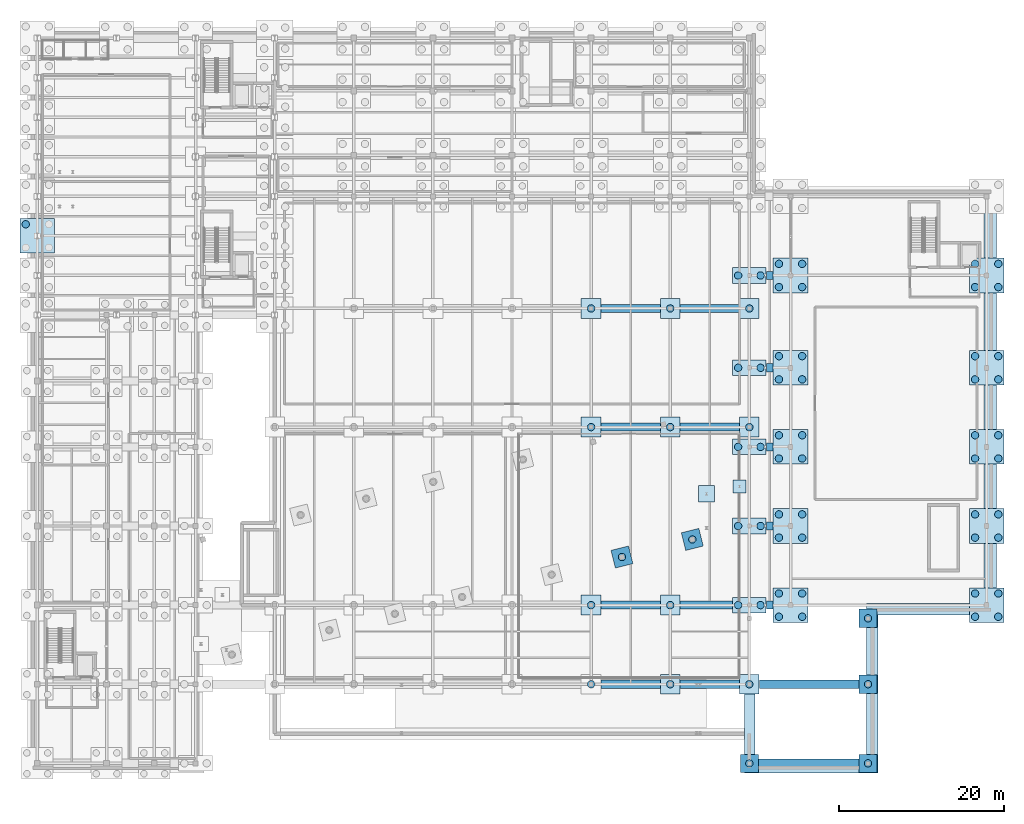
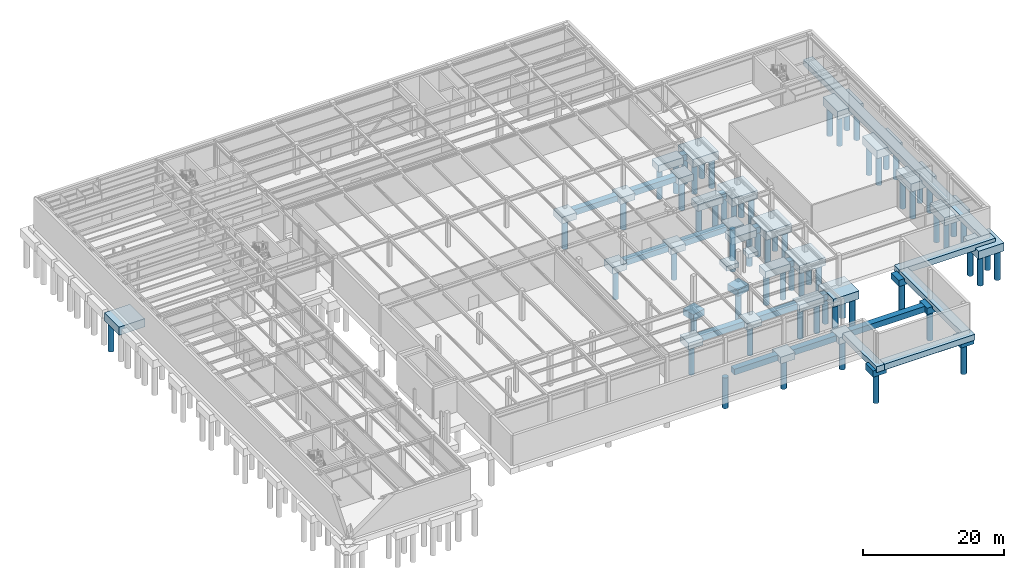
# One storey, part 3 of 33: 68 piles, 54 footings.
"""IFC4 building model written with IfcOpenShell, lengths in metres."""

from ifc_helpers import new_model, si_unit, direction, frame, origin, origin_2d, place, context, subcontext, project, spatial, polyline, rectangle, circle, outline, extrude, material, material_profile, profile_set, type_object, element, save


model = new_model("IFC4")

# Units and contexts
model_context = context("Model", 3, precision=1e-05, world=origin(), true_north=direction((0.0, 1.0)))
body_context = subcontext(model_context, "Body", "Model", "MODEL_VIEW")
ifc_project = project(units=[si_unit("LENGTHUNIT", "METRE"), si_unit("AREAUNIT", "SQUARE_METRE"), si_unit("VOLUMEUNIT", "CUBIC_METRE"), si_unit("PLANEANGLEUNIT", "RADIAN"), si_unit("MASSUNIT", "GRAM", prefix="KILO")], contexts=[model_context])

# Site, building, storey
site_placement = place(None, origin())
site = spatial("IfcSite", under=ifc_project, at=site_placement, CompositionType="ELEMENT")
building_placement = place(site_placement, origin())
building = spatial("IfcBuilding", under=site, at=building_placement, Name="Nordkorset Police Headquarters", CompositionType="ELEMENT")
storey_placement = place(building_placement, frame((0.0, 0.0, -9.800048828125)))
storey = spatial("IfcBuildingStorey", under=building, at=storey_placement, Name="B02", CompositionType="ELEMENT", Elevation=-9.800048828125)

# Piles
ifc_material_1 = material(Name="Concrete C45/55", Category="concrete")
ifc_material_profile = material_profile(ifc_material_1, circle(Radius=0.449951171875, at=origin_2d()), Name="PILE D900")
ifc_profile_set = profile_set([ifc_material_profile], Name="Concrete C45/55")
pile_type = type_object("IfcPileType", Name="Bored_PILE_D900", PredefinedType="BORED", material=ifc_profile_set)
pile_placement = place(storey_placement, frame((-1.409912109375, 94.2099609375, -1.89990234375), z_axis=(0.0, 0.0, -1.0), x_axis=(1.0, 0.0, 0.0)))
element("IfcPile", 1, at=pile_placement, inside=storey, type_object=pile_type, Name="Rock-Socketed Bored Pile V1_W_2-3", PredefinedType="BORED", context=body_context, shape_type="SweptSolid", body=[
    extrude(circle(Radius=0.449951171875, at=origin_2d()), origin(), (0.0, 0.0, 1.0), 5.10009765625),
])
for number, where, z_axis, x_axis, name in (
    (2, (85.0400390625, 48.0, -1.699951171875), (0.0, 0.0, -1.0), (1.0, 0.0, 0.0), "Rock-Socketed Bored Pile V5_X0_0-1"),
    (3, (87.760009765625, 48.0, -1.699951171875), (0.0, 0.0, -1.0), (1.0, 0.0, 0.0), "Rock-Socketed Bored Pile V5_X0_0-2"),
):
    element("IfcPile", number, at=place(storey_placement, frame(where, z_axis=z_axis, x_axis=x_axis)), inside=storey, type_object=pile_type, Name=name, PredefinedType="BORED", context=body_context, shape_type="SweptSolid", body=[
        extrude(circle(Radius=0.449951171875, at=origin_2d()), origin(), (0.0, 0.0, 1.0), 5.300048828125),
    ])
for number, where, z_axis, x_axis, name in (
    (4, (89.989990234375, 46.590087890625, -1.89990234375), (0.0, 0.0, -1.0), (1.0, 0.0, 0.0), "Rock-Socketed Bored Pile V5_X1_0-1"),
    (5, (92.81005859375, 46.590087890625, -1.89990234375), (0.0, 0.0, -1.0), (1.0, 0.0, 0.0), "Rock-Socketed Bored Pile V5_X1_0-2"),
    (6, (89.989990234375, 49.409912109375, -1.89990234375), (0.0, 0.0, -1.0), (1.0, 0.0, 0.0), "Rock-Socketed Bored Pile V5_X1_0-3"),
    (7, (92.81005859375, 49.409912109375, -1.89990234375), (0.0, 0.0, -1.0), (1.0, 0.0, 0.0), "Rock-Socketed Bored Pile V5_X1_0-4"),
    (8, (113.7900390625, 46.590087890625, -1.89990234375), (0.0, 0.0, -1.0), (1.0, 0.0, 0.0), "Rock-Socketed Bored Pile V5_X2_0-1"),
    (9, (116.610107421875, 46.590087890625, -1.89990234375), (0.0, 0.0, -1.0), (1.0, 0.0, 0.0), "Rock-Socketed Bored Pile V5_X2_0-2"),
    (10, (113.7900390625, 49.409912109375, -1.89990234375), (0.0, 0.0, -1.0), (1.0, 0.0, 0.0), "Rock-Socketed Bored Pile V5_X2_0-3"),
    (11, (116.610107421875, 49.409912109375, -1.89990234375), (0.0, 0.0, -1.0), (1.0, 0.0, 0.0), "Rock-Socketed Bored Pile V5_X2_0-4"),
):
    element("IfcPile", number, at=place(storey_placement, frame(where, z_axis=z_axis, x_axis=x_axis)), inside=storey, type_object=pile_type, Name=name, PredefinedType="BORED", context=body_context, shape_type="SweptSolid", body=[
        extrude(circle(Radius=0.449951171875, at=origin_2d()), origin(), (0.0, 0.0, 1.0), 5.10009765625),
    ])
for number, where, z_axis, x_axis, name in (
    (12, (85.0400390625, 57.60009765625, -1.699951171875), (0.0, 0.0, -1.0), (1.0, 0.0, 0.0), "Rock-Socketed Bored Pile V5_X0_1-1"),
    (13, (87.760009765625, 57.60009765625, -1.699951171875), (0.0, 0.0, -1.0), (1.0, 0.0, 0.0), "Rock-Socketed Bored Pile V5_X0_1-2"),
):
    element("IfcPile", number, at=place(storey_placement, frame(where, z_axis=z_axis, x_axis=x_axis)), inside=storey, type_object=pile_type, Name=name, PredefinedType="BORED", context=body_context, shape_type="SweptSolid", body=[
        extrude(circle(Radius=0.449951171875, at=origin_2d()), origin(), (0.0, 0.0, 1.0), 5.300048828125),
    ])
for number, where, z_axis, x_axis, name in (
    (14, (89.989990234375, 56.18994140625, -1.89990234375), (0.0, 0.0, -1.0), (1.0, 0.0, 0.0), "Rock-Socketed Bored Pile V5_X1_1-1"),
    (15, (92.81005859375, 56.18994140625, -1.89990234375), (0.0, 0.0, -1.0), (1.0, 0.0, 0.0), "Rock-Socketed Bored Pile V5_X1_1-2"),
    (16, (89.989990234375, 59.010009765625, -1.89990234375), (0.0, 0.0, -1.0), (1.0, 0.0, 0.0), "Rock-Socketed Bored Pile V5_X1_1-3"),
    (17, (92.81005859375, 59.010009765625, -1.89990234375), (0.0, 0.0, -1.0), (1.0, 0.0, 0.0), "Rock-Socketed Bored Pile V5_X1_1-4"),
    (18, (113.7900390625, 56.18994140625, -1.89990234375), (0.0, 0.0, -1.0), (1.0, 0.0, 0.0), "Rock-Socketed Bored Pile V5_X2_1-1"),
    (19, (116.610107421875, 56.18994140625, -1.89990234375), (0.0, 0.0, -1.0), (1.0, 0.0, 0.0), "Rock-Socketed Bored Pile V5_X2_1-2"),
    (20, (113.7900390625, 59.010009765625, -1.89990234375), (0.0, 0.0, -1.0), (1.0, 0.0, 0.0), "Rock-Socketed Bored Pile V5_X2_1-3"),
    (21, (116.610107421875, 59.010009765625, -1.89990234375), (0.0, 0.0, -1.0), (1.0, 0.0, 0.0), "Rock-Socketed Bored Pile V5_X2_1-4"),
):
    element("IfcPile", number, at=place(storey_placement, frame(where, z_axis=z_axis, x_axis=x_axis)), inside=storey, type_object=pile_type, Name=name, PredefinedType="BORED", context=body_context, shape_type="SweptSolid", body=[
        extrude(circle(Radius=0.449951171875, at=origin_2d()), origin(), (0.0, 0.0, 1.0), 5.10009765625),
    ])
for number, where, z_axis, x_axis, name in (
    (22, (85.0400390625, 67.199951171875, -1.699951171875), (0.0, 0.0, -1.0), (1.0, 0.0, 0.0), "Rock-Socketed Bored Pile V5_X0_2-1"),
    (23, (87.760009765625, 67.199951171875, -1.699951171875), (0.0, 0.0, -1.0), (1.0, 0.0, 0.0), "Rock-Socketed Bored Pile V5_X0_2-2"),
):
    element("IfcPile", number, at=place(storey_placement, frame(where, z_axis=z_axis, x_axis=x_axis)), inside=storey, type_object=pile_type, Name=name, PredefinedType="BORED", context=body_context, shape_type="SweptSolid", body=[
        extrude(circle(Radius=0.449951171875, at=origin_2d()), origin(), (0.0, 0.0, 1.0), 5.300048828125),
    ])
for number, where, z_axis, x_axis, name in (
    (24, (89.989990234375, 65.7900390625, -1.89990234375), (0.0, 0.0, -1.0), (1.0, 0.0, 0.0), "Rock-Socketed Bored Pile V5_X1_2-1"),
    (25, (92.81005859375, 65.7900390625, -1.89990234375), (0.0, 0.0, -1.0), (1.0, 0.0, 0.0), "Rock-Socketed Bored Pile V5_X1_2-2"),
    (26, (89.989990234375, 68.610107421875, -1.89990234375), (0.0, 0.0, -1.0), (1.0, 0.0, 0.0), "Rock-Socketed Bored Pile V5_X1_2-3"),
    (27, (92.81005859375, 68.610107421875, -1.89990234375), (0.0, 0.0, -1.0), (1.0, 0.0, 0.0), "Rock-Socketed Bored Pile V5_X1_2-4"),
    (28, (113.7900390625, 65.7900390625, -1.89990234375), (0.0, 0.0, -1.0), (1.0, 0.0, 0.0), "Rock-Socketed Bored Pile V5_X2_2-1"),
    (29, (116.610107421875, 65.7900390625, -1.89990234375), (0.0, 0.0, -1.0), (1.0, 0.0, 0.0), "Rock-Socketed Bored Pile V5_X2_2-2"),
    (30, (113.7900390625, 68.610107421875, -1.89990234375), (0.0, 0.0, -1.0), (1.0, 0.0, 0.0), "Rock-Socketed Bored Pile V5_X2_2-3"),
    (31, (116.610107421875, 68.610107421875, -1.89990234375), (0.0, 0.0, -1.0), (1.0, 0.0, 0.0), "Rock-Socketed Bored Pile V5_X2_2-4"),
):
    element("IfcPile", number, at=place(storey_placement, frame(where, z_axis=z_axis, x_axis=x_axis)), inside=storey, type_object=pile_type, Name=name, PredefinedType="BORED", context=body_context, shape_type="SweptSolid", body=[
        extrude(circle(Radius=0.449951171875, at=origin_2d()), origin(), (0.0, 0.0, 1.0), 5.10009765625),
    ])
for number, where, z_axis, x_axis, name in (
    (32, (85.0400390625, 76.800048828125, -1.699951171875), (0.0, 0.0, -1.0), (1.0, 0.0, 0.0), "Rock-Socketed Bored Pile V5_X0_3-1"),
    (33, (87.760009765625, 76.800048828125, -1.699951171875), (0.0, 0.0, -1.0), (1.0, 0.0, 0.0), "Rock-Socketed Bored Pile V5_X0_3-2"),
):
    element("IfcPile", number, at=place(storey_placement, frame(where, z_axis=z_axis, x_axis=x_axis)), inside=storey, type_object=pile_type, Name=name, PredefinedType="BORED", context=body_context, shape_type="SweptSolid", body=[
        extrude(circle(Radius=0.449951171875, at=origin_2d()), origin(), (0.0, 0.0, 1.0), 5.300048828125),
    ])
for number, where, z_axis, x_axis, name in (
    (34, (89.989990234375, 75.389892578125, -1.89990234375), (0.0, 0.0, -1.0), (1.0, 0.0, 0.0), "Rock-Socketed Bored Pile V5_X1_3-1"),
    (35, (92.81005859375, 75.389892578125, -1.89990234375), (0.0, 0.0, -1.0), (1.0, 0.0, 0.0), "Rock-Socketed Bored Pile V5_X1_3-2"),
    (36, (89.989990234375, 78.2099609375, -1.89990234375), (0.0, 0.0, -1.0), (1.0, 0.0, 0.0), "Rock-Socketed Bored Pile V5_X1_3-3"),
    (37, (92.81005859375, 78.2099609375, -1.89990234375), (0.0, 0.0, -1.0), (1.0, 0.0, 0.0), "Rock-Socketed Bored Pile V5_X1_3-4"),
    (38, (113.7900390625, 75.389892578125, -1.89990234375), (0.0, 0.0, -1.0), (1.0, 0.0, 0.0), "Rock-Socketed Bored Pile V5_X2_3-1"),
    (39, (116.610107421875, 75.389892578125, -1.89990234375), (0.0, 0.0, -1.0), (1.0, 0.0, 0.0), "Rock-Socketed Bored Pile V5_X2_3-2"),
    (40, (113.7900390625, 78.2099609375, -1.89990234375), (0.0, 0.0, -1.0), (1.0, 0.0, 0.0), "Rock-Socketed Bored Pile V5_X2_3-3"),
    (41, (116.610107421875, 78.2099609375, -1.89990234375), (0.0, 0.0, -1.0), (1.0, 0.0, 0.0), "Rock-Socketed Bored Pile V5_X2_3-4"),
):
    element("IfcPile", number, at=place(storey_placement, frame(where, z_axis=z_axis, x_axis=x_axis)), inside=storey, type_object=pile_type, Name=name, PredefinedType="BORED", context=body_context, shape_type="SweptSolid", body=[
        extrude(circle(Radius=0.449951171875, at=origin_2d()), origin(), (0.0, 0.0, 1.0), 5.10009765625),
    ])
for number, where, z_axis, x_axis, name in (
    (42, (85.0400390625, 88.0, -1.699951171875), (0.0, 0.0, -1.0), (1.0, 0.0, 0.0), "Rock-Socketed Bored Pile V5_X0_4-1"),
    (43, (87.760009765625, 88.0, -1.699951171875), (0.0, 0.0, -1.0), (1.0, 0.0, 0.0), "Rock-Socketed Bored Pile V5_X0_4-2"),
):
    element("IfcPile", number, at=place(storey_placement, frame(where, z_axis=z_axis, x_axis=x_axis)), inside=storey, type_object=pile_type, Name=name, PredefinedType="BORED", context=body_context, shape_type="SweptSolid", body=[
        extrude(circle(Radius=0.449951171875, at=origin_2d()), origin(), (0.0, 0.0, 1.0), 5.300048828125),
    ])
for number, where, z_axis, x_axis, name in (
    (44, (89.989990234375, 86.590087890625, -1.89990234375), (0.0, 0.0, -1.0), (1.0, 0.0, 0.0), "Rock-Socketed Bored Pile V5_X1_4-1"),
    (45, (92.81005859375, 86.590087890625, -1.89990234375), (0.0, 0.0, -1.0), (1.0, 0.0, 0.0), "Rock-Socketed Bored Pile V5_X1_4-2"),
    (46, (89.989990234375, 89.409912109375, -1.89990234375), (0.0, 0.0, -1.0), (1.0, 0.0, 0.0), "Rock-Socketed Bored Pile V5_X1_4-3"),
    (47, (92.81005859375, 89.409912109375, -1.89990234375), (0.0, 0.0, -1.0), (1.0, 0.0, 0.0), "Rock-Socketed Bored Pile V5_X1_4-4"),
    (48, (113.7900390625, 86.590087890625, -1.89990234375), (0.0, 0.0, -1.0), (1.0, 0.0, 0.0), "Rock-Socketed Bored Pile V5_X2_4-1"),
    (49, (116.610107421875, 86.590087890625, -1.89990234375), (0.0, 0.0, -1.0), (1.0, 0.0, 0.0), "Rock-Socketed Bored Pile V5_X2_4-2"),
    (50, (113.7900390625, 89.409912109375, -1.89990234375), (0.0, 0.0, -1.0), (1.0, 0.0, 0.0), "Rock-Socketed Bored Pile V5_X2_4-3"),
    (51, (116.610107421875, 89.409912109375, -1.89990234375), (0.0, 0.0, -1.0), (1.0, 0.0, 0.0), "Rock-Socketed Bored Pile V5_X2_4-4"),
):
    element("IfcPile", number, at=place(storey_placement, frame(where, z_axis=z_axis, x_axis=x_axis)), inside=storey, type_object=pile_type, Name=name, PredefinedType="BORED", context=body_context, shape_type="SweptSolid", body=[
        extrude(circle(Radius=0.449951171875, at=origin_2d()), origin(), (0.0, 0.0, 1.0), 5.10009765625),
    ])
for number, where, z_axis, x_axis, name in (
    (52, (67.199951171875, 38.39990234375, -1.64990234375), (0.0, 0.0, -1.0), (1.0, 0.0, 0.0), "Rock-Socketed Bored Pile SUB_C_4_0-1"),
    (53, (67.199951171875, 48.0, -1.64990234375), (0.0, 0.0, -1.0), (1.0, 0.0, 0.0), "Rock-Socketed Bored Pile SUB_C_4_1-1"),
    (54, (67.199951171875, 69.60009765625, -1.64990234375), (0.0, 0.0, -1.0), (1.0, 0.0, 0.0), "Rock-Socketed Bored Pile SUB_C_4_2-1"),
    (55, (67.199951171875, 84.0, -1.64990234375), (0.0, 0.0, -1.0), (1.0, 0.0, 0.0), "Rock-Socketed Bored Pile SUB_C_4_3-1"),
    (56, (76.800048828125, 38.39990234375, -1.64990234375), (0.0, 0.0, -1.0), (1.0, 0.0, 0.0), "Rock-Socketed Bored Pile SUB_C_5_0-1"),
    (57, (76.800048828125, 48.0, -1.64990234375), (0.0, 0.0, -1.0), (1.0, 0.0, 0.0), "Rock-Socketed Bored Pile SUB_C_5_1-1"),
    (58, (76.800048828125, 69.60009765625, -1.64990234375), (0.0, 0.0, -1.0), (1.0, 0.0, 0.0), "Rock-Socketed Bored Pile SUB_C_5_2-1"),
    (59, (76.800048828125, 84.0, -1.64990234375), (0.0, 0.0, -1.0), (1.0, 0.0, 0.0), "Rock-Socketed Bored Pile SUB_C_5_3-1"),
    (60, (86.39990234375, 38.39990234375, -1.64990234375), (0.0, 0.0, -1.0), (1.0, 0.0, 0.0), "Rock-Socketed Bored Pile SUB_C_6_0-1"),
    (61, (86.39990234375, 69.60009765625, -1.64990234375), (0.0, 0.0, -1.0), (1.0, 0.0, 0.0), "Rock-Socketed Bored Pile SUB_C_6_2-1"),
    (62, (86.39990234375, 84.0, -1.64990234375), (0.0, 0.0, -1.0), (1.0, 0.0, 0.0), "Rock-Socketed Bored Pile SUB_C_6_3-1"),
):
    element("IfcPile", number, at=place(storey_placement, frame(where, z_axis=z_axis, x_axis=x_axis)), inside=storey, type_object=pile_type, Name=name, PredefinedType="BORED", context=body_context, shape_type="SweptSolid", body=[
        extrude(circle(Radius=0.449951171875, at=origin_2d()), origin(), (0.0, 0.0, 1.0), 5.35009765625),
    ])
for number, where, z_axis, x_axis, name in (
    (63, (70.94287109375, 53.835693359375, -1.599853515625), (0.0, 0.0, -1.0), (1.0, 0.0, 0.0), "Rock-Socketed Bored Pile V4_U5_V0-1"),
    (64, (79.480224609375, 55.969970703125, -1.599853515625), (0.0, 0.0, -1.0), (1.0, 0.0, 0.0), "Rock-Socketed Bored Pile V4_U6_V0-1"),
    (65, (86.39990234375, 28.800048828125, -1.599853515625), (0.0, 0.0, -1.0), (1.0, 0.0, 0.0), "Rock-Socketed Bored Pile V7_EC_0_288-1"),
    (66, (100.800048828125, 28.800048828125, -1.599853515625), (0.0, 0.0, -1.0), (1.0, 0.0, 0.0), "Rock-Socketed Bored Pile V7_EC_1_288-1"),
    (67, (100.800048828125, 38.39990234375, -1.599853515625), (0.0, 0.0, -1.0), (1.0, 0.0, 0.0), "Rock-Socketed Bored Pile V7_EC_1_384-1"),
    (68, (100.800048828125, 46.39990234375, -1.599853515625), (0.0, 0.0, -1.0), (1.0, 0.0, 0.0), "Rock-Socketed Bored Pile V7_EC_1_464-1"),
):
    element("IfcPile", number, at=place(storey_placement, frame(where, z_axis=z_axis, x_axis=x_axis)), inside=storey, type_object=pile_type, Name=name, PredefinedType="BORED", context=body_context, shape_type="SweptSolid", body=[
        extrude(circle(Radius=0.449951171875, at=origin_2d()), origin(), (0.0, 0.0, 1.0), 5.39990234375),
    ])

# Footings
ifc_material_2 = material(Name="Concrete C35/45", Category="concrete")
footing_type_1 = type_object("IfcFootingType", Name="Cap_2200x2200x1100", PredefinedType="PILE_CAP", material=ifc_material_2)
for number, where, z_axis, x_axis, name in (
    (69, (70.94287109375, 53.835693359375, -1.699951171875), (0.0, 0.0, 1.0), (0.970142500145, 0.242535625038, 0.0), "Reinforced Concrete Pile Cap V4_U5_V0"),
    (70, (79.480224609375, 55.969970703125, -1.699951171875), (0.0, 0.0, 1.0), (0.970142500145, 0.242535625038, 0.0), "Reinforced Concrete Pile Cap V4_U6_V0"),
    (71, (86.39990234375, 28.800048828125, -1.699951171875), (0.0, 0.0, 1.0), (1.0, 0.0, 0.0), "Reinforced Concrete Pile Cap V7_EC_0_288"),
    (72, (100.800048828125, 28.800048828125, -1.699951171875), (0.0, 0.0, 1.0), (1.0, 0.0, 0.0), "Reinforced Concrete Pile Cap V7_EC_1_288"),
    (73, (100.800048828125, 38.39990234375, -1.699951171875), (0.0, 0.0, 1.0), (1.0, 0.0, 0.0), "Reinforced Concrete Pile Cap V7_EC_1_384"),
    (74, (100.800048828125, 46.39990234375, -1.699951171875), (0.0, 0.0, 1.0), (1.0, 0.0, 0.0), "Reinforced Concrete Pile Cap V7_EC_1_464"),
):
    element("IfcFooting", number, at=place(storey_placement, frame(where, z_axis=z_axis, x_axis=x_axis)), inside=storey, type_object=footing_type_1, Name=name, PredefinedType="PILE_CAP", context=body_context, shape_type="SweptSolid", body=[
        extrude(rectangle(XDim=2.199951171875, YDim=2.199951171875, at=origin_2d()), origin(), (0.0, 0.0, 1.0), 1.10009765625),
    ])
ifc_material_3 = material(Name="Concrete C35/45", Category="concrete")
footing_type_2 = type_object("IfcFootingType", Name="Cap_2400x2400x1150", PredefinedType="PILE_CAP", material=ifc_material_3)
for number, where, z_axis, x_axis, name in (
    (75, (67.199951171875, 48.0, -1.75), (0.0, 0.0, 1.0), (1.0, 0.0, 0.0), "Reinforced Concrete Pile Cap SUB_C_4_1"),
    (76, (67.199951171875, 69.60009765625, -1.75), (0.0, 0.0, 1.0), (1.0, 0.0, 0.0), "Reinforced Concrete Pile Cap SUB_C_4_2"),
    (77, (67.199951171875, 84.0, -1.75), (0.0, 0.0, 1.0), (1.0, 0.0, 0.0), "Reinforced Concrete Pile Cap SUB_C_4_3"),
    (78, (76.800048828125, 38.39990234375, -1.75), (0.0, 0.0, 1.0), (1.0, 0.0, 0.0), "Reinforced Concrete Pile Cap SUB_C_5_0"),
    (79, (76.800048828125, 48.0, -1.75), (0.0, 0.0, 1.0), (1.0, 0.0, 0.0), "Reinforced Concrete Pile Cap SUB_C_5_1"),
    (80, (76.800048828125, 69.60009765625, -1.75), (0.0, 0.0, 1.0), (1.0, 0.0, 0.0), "Reinforced Concrete Pile Cap SUB_C_5_2"),
    (81, (76.800048828125, 84.0, -1.75), (0.0, 0.0, 1.0), (1.0, 0.0, 0.0), "Reinforced Concrete Pile Cap SUB_C_5_3"),
    (82, (86.39990234375, 38.39990234375, -1.75), (0.0, 0.0, 1.0), (1.0, 0.0, 0.0), "Reinforced Concrete Pile Cap SUB_C_6_0"),
    (83, (86.39990234375, 69.60009765625, -1.75), (0.0, 0.0, 1.0), (1.0, 0.0, 0.0), "Reinforced Concrete Pile Cap SUB_C_6_2"),
    (84, (86.39990234375, 84.0, -1.75), (0.0, 0.0, 1.0), (1.0, 0.0, 0.0), "Reinforced Concrete Pile Cap SUB_C_6_3"),
):
    element("IfcFooting", number, at=place(storey_placement, frame(where, z_axis=z_axis, x_axis=x_axis)), inside=storey, type_object=footing_type_2, Name=name, PredefinedType="PILE_CAP", context=body_context, shape_type="SweptSolid", body=[
        extrude(rectangle(XDim=2.39990234375, YDim=2.39990234375, at=origin_2d()), origin(), (0.0, 0.0, 1.0), 1.14990234375),
    ])
ifc_material_4 = material(Name="Concrete C35/45", Category="concrete")
footing_type_3 = type_object("IfcFootingType", Name="Cap_3800x1900x1200", PredefinedType="PILE_CAP", material=ifc_material_4)
for number, where, z_axis, x_axis, name in (
    (85, (86.39990234375, 48.0, -1.7998046875), (0.0, 0.0, 1.0), (1.0, 0.0, 0.0), "Reinforced Concrete Pile Cap V5_X0_0"),
    (86, (86.39990234375, 57.60009765625, -1.7998046875), (0.0, 0.0, 1.0), (1.0, 0.0, 0.0), "Reinforced Concrete Pile Cap V5_X0_1"),
    (87, (86.39990234375, 67.199951171875, -1.7998046875), (0.0, 0.0, 1.0), (1.0, 0.0, 0.0), "Reinforced Concrete Pile Cap V5_X0_2"),
    (88, (86.39990234375, 76.800048828125, -1.7998046875), (0.0, 0.0, 1.0), (1.0, 0.0, 0.0), "Reinforced Concrete Pile Cap V5_X0_3"),
    (89, (86.39990234375, 88.0, -1.7998046875), (0.0, 0.0, 1.0), (1.0, 0.0, 0.0), "Reinforced Concrete Pile Cap V5_X0_4"),
):
    element("IfcFooting", number, at=place(storey_placement, frame(where, z_axis=z_axis, x_axis=x_axis)), inside=storey, type_object=footing_type_3, Name=name, PredefinedType="PILE_CAP", context=body_context, shape_type="SweptSolid", body=[
        extrude(rectangle(XDim=4.10009765625, YDim=1.89990234375, at=origin_2d()), origin(), (0.0, 0.0, 1.0), 1.199951171875),
    ])
ifc_material_5 = material(Name="Concrete C35/45", Category="concrete")
footing_type_4 = type_object("IfcFootingType", Name="Cap_4200x4200x1400", PredefinedType="PILE_CAP", material=ifc_material_5)
for number, where, z_axis, x_axis, name in (
    (90, (0.0, 92.800048828125, -2.0), (0.0, 0.0, 1.0), (1.0, 0.0, 0.0), "Reinforced Concrete Pile Cap V1_W_2"),
    (91, (91.39990234375, 48.0, -2.0), (0.0, 0.0, 1.0), (1.0, 0.0, 0.0), "Reinforced Concrete Pile Cap V5_X1_0"),
    (92, (115.199951171875, 48.0, -2.0), (0.0, 0.0, 1.0), (1.0, 0.0, 0.0), "Reinforced Concrete Pile Cap V5_X2_0"),
    (93, (91.39990234375, 57.60009765625, -2.0), (0.0, 0.0, 1.0), (1.0, 0.0, 0.0), "Reinforced Concrete Pile Cap V5_X1_1"),
    (94, (115.199951171875, 57.60009765625, -2.0), (0.0, 0.0, 1.0), (1.0, 0.0, 0.0), "Reinforced Concrete Pile Cap V5_X2_1"),
    (95, (91.39990234375, 67.199951171875, -2.0), (0.0, 0.0, 1.0), (1.0, 0.0, 0.0), "Reinforced Concrete Pile Cap V5_X1_2"),
    (96, (115.199951171875, 67.199951171875, -2.0), (0.0, 0.0, 1.0), (1.0, 0.0, 0.0), "Reinforced Concrete Pile Cap V5_X2_2"),
    (97, (91.39990234375, 76.800048828125, -2.0), (0.0, 0.0, 1.0), (1.0, 0.0, 0.0), "Reinforced Concrete Pile Cap V5_X1_3"),
    (98, (115.199951171875, 76.800048828125, -2.0), (0.0, 0.0, 1.0), (1.0, 0.0, 0.0), "Reinforced Concrete Pile Cap V5_X2_3"),
    (99, (91.39990234375, 88.0, -2.0), (0.0, 0.0, 1.0), (1.0, 0.0, 0.0), "Reinforced Concrete Pile Cap V5_X1_4"),
    (100, (115.199951171875, 88.0, -2.0), (0.0, 0.0, 1.0), (1.0, 0.0, 0.0), "Reinforced Concrete Pile Cap V5_X2_4"),
):
    element("IfcFooting", number, at=place(storey_placement, frame(where, z_axis=z_axis, x_axis=x_axis)), inside=storey, type_object=footing_type_4, Name=name, PredefinedType="PILE_CAP", context=body_context, shape_type="SweptSolid", body=[
        extrude(rectangle(XDim=4.199951171875, YDim=4.199951171875, at=origin_2d()), origin(), (0.0, 0.0, 1.0), 1.39990234375),
    ])
ifc_material_6 = material(Name="Concrete C35/45", Category="concrete")
footing_type_5 = type_object("IfcFootingType", Name="Pad_1600x1600x700", PredefinedType="PAD_FOOTING", material=ifc_material_6)
footing_1_placement = place(storey_placement, frame((85.199951171875, 62.39990234375, -1.2998046875), z_axis=(0.0, 0.0, 1.0), x_axis=(1.0, 0.0, 0.0)))
element("IfcFooting", 101, at=footing_1_placement, inside=storey, type_object=footing_type_5, Name="Bridge Pad Footing BRG_E_E1", PredefinedType="PAD_FOOTING", context=body_context, shape_type="SweptSolid", body=[
    extrude(rectangle(XDim=1.60009765625, YDim=1.60009765625, at=origin_2d()), origin(), (0.0, 0.0, 1.0), 0.699951171875),
])
ifc_material_7 = material(Name="Concrete C35/45", Category="concrete")
footing_type_6 = type_object("IfcFootingType", Name="Pad_2000x2000x800", PredefinedType="PAD_FOOTING", material=ifc_material_7)
footing_2_placement = place(storey_placement, frame((81.199951171875, 61.5, -1.39990234375), z_axis=(0.0, 0.0, 1.0), x_axis=(1.0, 0.0, 0.0)))
element("IfcFooting", 102, at=footing_2_placement, inside=storey, type_object=footing_type_6, Name="Bridge Pad Footing BRG_E_W1", PredefinedType="PAD_FOOTING", context=body_context, shape_type="SweptSolid", body=[
    extrude(rectangle(XDim=2.0, YDim=2.0, at=origin_2d()), origin(), (0.0, 0.0, 1.0), 0.800048828125),
])
ifc_material_8 = material(Name="Concrete C35/45", Category="concrete")
footing_type_7 = type_object("IfcFootingType", Name="Strip_1000x1000", PredefinedType="STRIP_FOOTING", material=ifc_material_8)
footing_3_placement = place(storey_placement, frame((0.0, 0.0, -1.599853515625)))
element("IfcFooting", 103, at=footing_3_placement, inside=storey, type_object=footing_type_7, Name="Foundation Tie Strip Footing X-048", PredefinedType="STRIP_FOOTING", context=body_context, shape_type="SweptSolid", body=[
    extrude(outline(polyline([(87.5029296875, 28.300048828125), (99.697021484375, 28.300048828125), (99.697021484375, 29.300048828125), (87.5029296875, 29.300048828125), (87.5029296875, 28.300048828125)])), origin(), (0.0, 0.0, 1.0), 1.0),
])
footing_4_placement = place(storey_placement, frame((0.0, 0.0, -1.599853515625)))
element("IfcFooting", 104, at=footing_4_placement, inside=storey, type_object=footing_type_7, Name="Foundation Tie Strip Footing X-057", PredefinedType="STRIP_FOOTING", context=body_context, shape_type="SweptSolid", body=[
    extrude(outline(polyline([(68.403076171875, 37.89990234375), (75.596923828125, 37.89990234375), (75.596923828125, 38.89990234375), (68.403076171875, 38.89990234375), (68.403076171875, 37.89990234375)])), origin(), (0.0, 0.0, 1.0), 1.0),
])
footing_5_placement = place(storey_placement, frame((0.0, 0.0, -1.599853515625)))
element("IfcFooting", 105, at=footing_5_placement, inside=storey, type_object=footing_type_7, Name="Foundation Tie Strip Footing X-058", PredefinedType="STRIP_FOOTING", context=body_context, shape_type="SweptSolid", body=[
    extrude(outline(polyline([(78.0029296875, 37.89990234375), (85.197021484375, 37.89990234375), (85.197021484375, 38.89990234375), (78.0029296875, 38.89990234375), (78.0029296875, 37.89990234375)])), origin(), (0.0, 0.0, 1.0), 1.0),
])
footing_6_placement = place(storey_placement, frame((0.0, 0.0, -1.599853515625)))
element("IfcFooting", 106, at=footing_6_placement, inside=storey, type_object=footing_type_7, Name="Foundation Tie Strip Footing X-059", PredefinedType="STRIP_FOOTING", context=body_context, shape_type="SweptSolid", body=[
    extrude(outline(polyline([(87.60302734375, 37.89990234375), (99.697021484375, 37.89990234375), (99.697021484375, 38.89990234375), (87.60302734375, 38.89990234375), (87.60302734375, 37.89990234375)])), origin(), (0.0, 0.0, 1.0), 1.0),
])
footing_7_placement = place(storey_placement, frame((0.0, 0.0, -1.599853515625)))
element("IfcFooting", 107, at=footing_7_placement, inside=storey, type_object=footing_type_7, Name="Foundation Tie Strip Footing X-068", PredefinedType="STRIP_FOOTING", context=body_context, shape_type="SweptSolid", body=[
    extrude(outline(polyline([(68.403076171875, 47.5), (75.596923828125, 47.5), (75.596923828125, 48.5), (68.403076171875, 48.5), (68.403076171875, 47.5)])), origin(), (0.0, 0.0, 1.0), 1.0),
])
footing_8_placement = place(storey_placement, frame((0.0, 0.0, -1.599853515625)))
element("IfcFooting", 108, at=footing_8_placement, inside=storey, type_object=footing_type_7, Name="Foundation Tie Strip Footing X-069", PredefinedType="STRIP_FOOTING", context=body_context, shape_type="SweptSolid", body=[
    extrude(outline(polyline([(78.0029296875, 47.5), (84.346923828125, 47.5), (84.346923828125, 48.5), (78.0029296875, 48.5), (78.0029296875, 47.5)])), origin(), (0.0, 0.0, 1.0), 1.0),
])
footing_9_placement = place(storey_placement, frame((0.0, 0.0, -1.599853515625)))
element("IfcFooting", 109, at=footing_9_placement, inside=storey, type_object=footing_type_7, Name="Foundation Tie Strip Footing X-070", PredefinedType="STRIP_FOOTING", context=body_context, shape_type="SweptSolid", body=[
    extrude(outline(polyline([(88.452880859375, 47.5), (89.297119140625, 47.5), (89.297119140625, 48.5), (88.452880859375, 48.5), (88.452880859375, 47.5)])), origin(), (0.0, 0.0, 1.0), 1.0),
])
footing_10_placement = place(storey_placement, frame((0.0, 0.0, -1.599853515625)))
element("IfcFooting", 110, at=footing_10_placement, inside=storey, type_object=footing_type_7, Name="Foundation Tie Strip Footing X-074", PredefinedType="STRIP_FOOTING", context=body_context, shape_type="SweptSolid", body=[
    extrude(outline(polyline([(88.452880859375, 57.10009765625), (89.297119140625, 57.10009765625), (89.297119140625, 58.10009765625), (88.452880859375, 58.10009765625), (88.452880859375, 57.10009765625)])), origin(), (0.0, 0.0, 1.0), 1.0),
])
footing_11_placement = place(storey_placement, frame((0.0, 0.0, -1.599853515625)))
element("IfcFooting", 111, at=footing_11_placement, inside=storey, type_object=footing_type_7, Name="Foundation Tie Strip Footing X-078", PredefinedType="STRIP_FOOTING", context=body_context, shape_type="SweptSolid", body=[
    extrude(outline(polyline([(88.452880859375, 66.699951171875), (89.297119140625, 66.699951171875), (89.297119140625, 67.699951171875), (88.452880859375, 67.699951171875), (88.452880859375, 66.699951171875)])), origin(), (0.0, 0.0, 1.0), 1.0),
])
footing_12_placement = place(storey_placement, frame((0.0, 0.0, -1.599853515625)))
element("IfcFooting", 112, at=footing_12_placement, inside=storey, type_object=footing_type_7, Name="Foundation Tie Strip Footing X-083", PredefinedType="STRIP_FOOTING", context=body_context, shape_type="SweptSolid", body=[
    extrude(outline(polyline([(68.403076171875, 69.10009765625), (75.596923828125, 69.10009765625), (75.596923828125, 70.10009765625), (68.403076171875, 70.10009765625), (68.403076171875, 69.10009765625)])), origin(), (0.0, 0.0, 1.0), 1.0),
])
footing_13_placement = place(storey_placement, frame((0.0, 0.0, -1.599853515625)))
element("IfcFooting", 113, at=footing_13_placement, inside=storey, type_object=footing_type_7, Name="Foundation Tie Strip Footing X-084", PredefinedType="STRIP_FOOTING", context=body_context, shape_type="SweptSolid", body=[
    extrude(outline(polyline([(78.0029296875, 69.10009765625), (85.197021484375, 69.10009765625), (85.197021484375, 70.10009765625), (78.0029296875, 70.10009765625), (78.0029296875, 69.10009765625)])), origin(), (0.0, 0.0, 1.0), 1.0),
])
footing_14_placement = place(storey_placement, frame((0.0, 0.0, -1.599853515625)))
element("IfcFooting", 114, at=footing_14_placement, inside=storey, type_object=footing_type_7, Name="Foundation Tie Strip Footing X-088", PredefinedType="STRIP_FOOTING", context=body_context, shape_type="SweptSolid", body=[
    extrude(outline(polyline([(88.452880859375, 76.300048828125), (89.297119140625, 76.300048828125), (89.297119140625, 77.300048828125), (88.452880859375, 77.300048828125), (88.452880859375, 76.300048828125)])), origin(), (0.0, 0.0, 1.0), 1.0),
])
footing_15_placement = place(storey_placement, frame((0.0, 0.0, -1.599853515625)))
element("IfcFooting", 115, at=footing_15_placement, inside=storey, type_object=footing_type_7, Name="Foundation Tie Strip Footing X-095", PredefinedType="STRIP_FOOTING", context=body_context, shape_type="SweptSolid", body=[
    extrude(outline(polyline([(68.403076171875, 83.5), (75.596923828125, 83.5), (75.596923828125, 84.5), (68.403076171875, 84.5), (68.403076171875, 83.5)])), origin(), (0.0, 0.0, 1.0), 1.0),
])
footing_16_placement = place(storey_placement, frame((0.0, 0.0, -1.599853515625)))
element("IfcFooting", 116, at=footing_16_placement, inside=storey, type_object=footing_type_7, Name="Foundation Tie Strip Footing X-096", PredefinedType="STRIP_FOOTING", context=body_context, shape_type="SweptSolid", body=[
    extrude(outline(polyline([(78.0029296875, 83.5), (85.197021484375, 83.5), (85.197021484375, 84.5), (78.0029296875, 84.5), (78.0029296875, 83.5)])), origin(), (0.0, 0.0, 1.0), 1.0),
])
footing_17_placement = place(storey_placement, frame((0.0, 0.0, -1.599853515625)))
element("IfcFooting", 117, at=footing_17_placement, inside=storey, type_object=footing_type_7, Name="Foundation Tie Strip Footing X-098", PredefinedType="STRIP_FOOTING", context=body_context, shape_type="SweptSolid", body=[
    extrude(outline(polyline([(88.452880859375, 87.5), (89.297119140625, 87.5), (89.297119140625, 88.5), (88.452880859375, 88.5), (88.452880859375, 87.5)])), origin(), (0.0, 0.0, 1.0), 1.0),
])
footing_18_placement = place(storey_placement, frame((0.0, 0.0, -1.0)))
element("IfcFooting", 118, at=footing_18_placement, inside=storey, type_object=footing_type_7, Name="Subterranean Perimeter Strip Footing FTG-RET-E1", PredefinedType="STRIP_FOOTING", context=body_context, shape_type="SweptSolid", body=[
    extrude(outline(polyline([(114.89990234375, 46.800048828125), (116.39990234375, 46.800048828125), (116.39990234375, 98.800048828125), (114.89990234375, 98.800048828125), (114.89990234375, 46.800048828125)])), origin(), (0.0, 0.0, 1.0), 1.0),
])
footing_19_placement = place(storey_placement, frame((0.0, 0.0, -1.0)))
element("IfcFooting", 119, at=footing_19_placement, inside=storey, type_object=footing_type_7, Name="Subterranean Perimeter Strip Footing FTG-RET-S5", PredefinedType="STRIP_FOOTING", context=body_context, shape_type="SweptSolid", body=[
    extrude(outline(polyline([(100.60009765625, 46.800048828125), (116.39990234375, 46.800048828125), (116.39990234375, 48.199951171875), (100.60009765625, 48.199951171875), (100.60009765625, 46.800048828125)])), origin(), (0.0, 0.0, 1.0), 1.0),
])
footing_20_placement = place(storey_placement, frame((0.0, 0.0, -1.0)))
element("IfcFooting", 120, at=footing_20_placement, inside=storey, type_object=footing_type_7, Name="Subterranean Perimeter Strip Footing FTG-RET-S4A", PredefinedType="STRIP_FOOTING", context=body_context, shape_type="SweptSolid", body=[
    extrude(outline(polyline([(85.800048828125, 27.60009765625), (87.10009765625, 27.60009765625), (87.10009765625, 37.199951171875), (85.800048828125, 37.199951171875), (85.800048828125, 27.60009765625)])), origin(), (0.0, 0.0, 1.0), 1.0),
])
footing_21_placement = place(storey_placement, frame((0.0, 0.0, -1.0)))
element("IfcFooting", 121, at=footing_21_placement, inside=storey, type_object=footing_type_7, Name="Subterranean Perimeter Strip Footing FTG-RET-S4B", PredefinedType="STRIP_FOOTING", context=body_context, shape_type="SweptSolid", body=[
    extrude(outline(polyline([(85.800048828125, 27.60009765625), (102.0, 27.60009765625), (102.0, 29.0), (85.800048828125, 29.0), (85.800048828125, 27.60009765625)])), origin(), (0.0, 0.0, 1.0), 1.0),
])
footing_22_placement = place(storey_placement, frame((0.0, 0.0, -1.0)))
element("IfcFooting", 122, at=footing_22_placement, inside=storey, type_object=footing_type_7, Name="Subterranean Perimeter Strip Footing FTG-RET-S4C", PredefinedType="STRIP_FOOTING", context=body_context, shape_type="SweptSolid", body=[
    extrude(outline(polyline([(100.60009765625, 27.60009765625), (102.0, 27.60009765625), (102.0, 48.199951171875), (100.60009765625, 48.199951171875), (100.60009765625, 27.60009765625)])), origin(), (0.0, 0.0, 1.0), 1.0),
])

save(model, "model.ifc")
